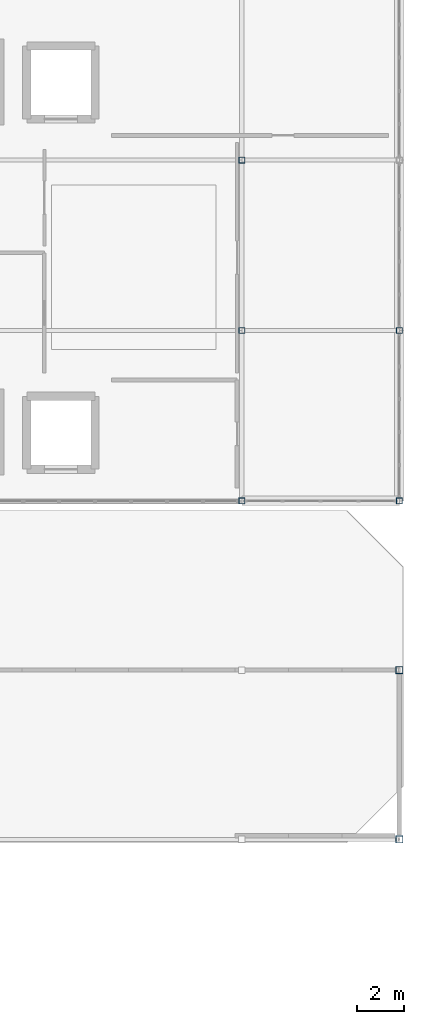
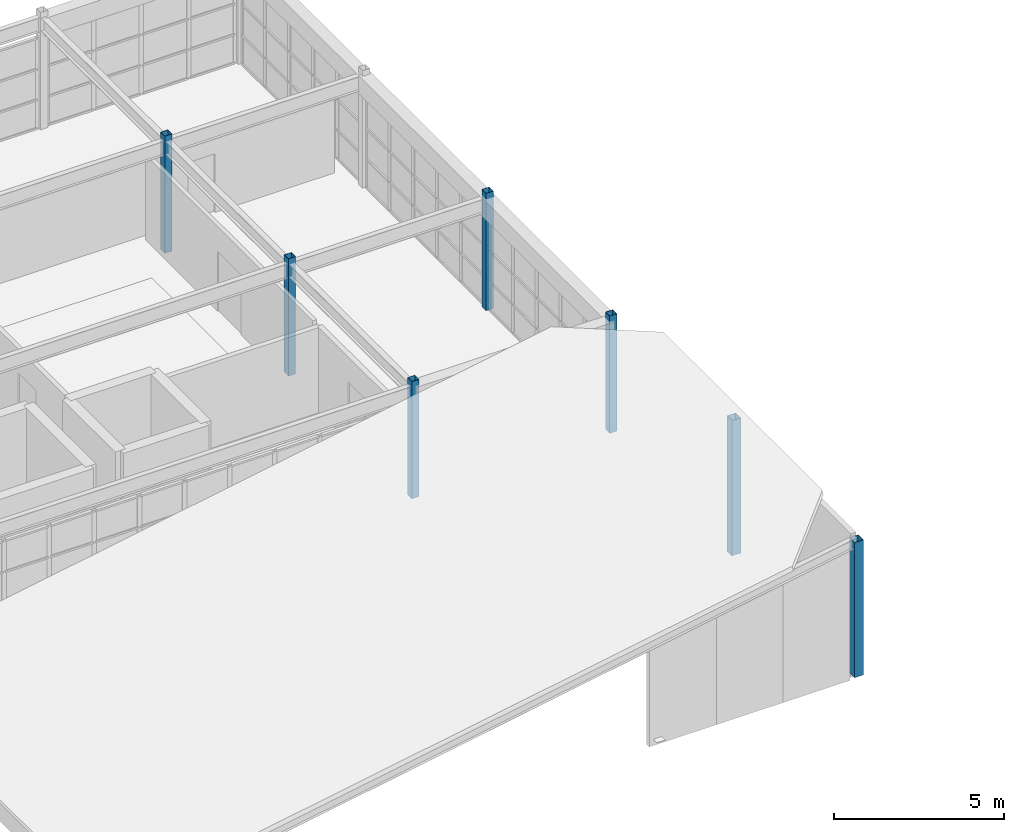
# One storey, part 3 of 19: 7 columns.
"""IFC4 building model written with IfcOpenShell, lengths in metres."""

from ifc_helpers import new_model, si_unit, direction, frame, origin, origin_2d, place, context, subcontext, project, spatial, hollow_rectangle, extrude, material, material_profile, profile_set, type_object, element, save


model = new_model("IFC4")

# Units and contexts
model_context = context("Model", 3, precision=1e-05, world=origin(), true_north=direction((0.0, 1.0)))
body_context = subcontext(model_context, "Body", "Model", "MODEL_VIEW")
ifc_project = project(units=[si_unit("LENGTHUNIT", "METRE"), si_unit("AREAUNIT", "SQUARE_METRE"), si_unit("VOLUMEUNIT", "CUBIC_METRE"), si_unit("PLANEANGLEUNIT", "RADIAN"), si_unit("MASSUNIT", "GRAM", prefix="KILO")], contexts=[model_context])

# Site, building, storey
site_placement = place(None, origin())
site = spatial("IfcSite", under=ifc_project, at=site_placement, CompositionType="ELEMENT")
building_placement = place(site_placement, origin())
building = spatial("IfcBuilding", under=site, at=building_placement, Name="Candilejo Ridge Gondola Terminal", CompositionType="ELEMENT")
storey_placement = place(building_placement, frame((0.0, 0.0, 22.800048828125)))
storey = spatial("IfcBuildingStorey", under=building, at=storey_placement, Name="L05", CompositionType="ELEMENT", Elevation=22.800048828125)

# Columns
ifc_material_1 = material(Name="Steel ASTM A500 Grade C", Category="steel")
ifc_material_profile_1 = material_profile(ifc_material_1, hollow_rectangle(XDim=0.25, YDim=0.25, WallThickness=0.010009765625, at=origin_2d()))
ifc_profile_set_1 = profile_set([ifc_material_profile_1], Name="Steel ASTM A500 Grade C")
column_type_1 = type_object("IfcColumnType", Name="STR-COL-HSS250", PredefinedType="COLUMN", material=ifc_profile_set_1)
for number, where, z_axis, x_axis, name in (
    (1, (168.60009765625, 99.050048828125, 0.0), (0.0, 0.0, 1.0), (1.0, 0.0, 0.0), "Column V5 L05 X25-Y17"),
    (2, (168.60009765625, 106.300048828125, 0.0), (0.0, 0.0, 1.0), (1.0, 0.0, 0.0), "Column V5 L05 X25-Y18"),
    (3, (168.60009765625, 113.550048828125, 0.0), (0.0, 0.0, 1.0), (1.0, 0.0, 0.0), "Column V5 L05 X25-Y19"),
    (4, (175.300048828125, 99.050048828125, 0.0), (0.0, 0.0, 1.0), (1.0, 0.0, 0.0), "Column V5 L05 X27-Y17"),
    (5, (175.300048828125, 106.300048828125, 0.0), (0.0, 0.0, 1.0), (1.0, 0.0, 0.0), "Column V5 L05 X27-Y18"),
):
    element("IfcColumn", number, at=place(storey_placement, frame(where, z_axis=z_axis, x_axis=x_axis)), inside=storey, type_object=column_type_1, Name=name, PredefinedType="COLUMN", context=body_context, shape_type="SweptSolid", body=[
        extrude(hollow_rectangle(XDim=0.25, YDim=0.25, WallThickness=0.010009765625, at=origin_2d()), origin(), (0.0, 0.0, 1.0), 4.199951171875),
    ])
ifc_material_2 = material(Name="Steel ASTM A500 Grade C", Category="steel")
ifc_material_profile_2 = material_profile(ifc_material_2, hollow_rectangle(XDim=0.300048828125, YDim=0.300048828125, WallThickness=0.0126953125, at=origin_2d()))
ifc_profile_set_2 = profile_set([ifc_material_profile_2], Name="Steel ASTM A500 Grade C")
column_type_2 = type_object("IfcColumnType", Name="STR-COL-HSS300", PredefinedType="COLUMN", material=ifc_profile_set_2)
for number, where, z_axis, x_axis, name in (
    (6, (175.300048828125, 84.64990234375, 0.0), (0.0, 0.0, 1.0), (1.0, 0.0, 0.0), "Roof ridge post RF-V5-MID2-01-E"),
    (7, (175.300048828125, 91.85009765625, 0.0), (0.0, 0.0, 1.0), (1.0, 0.0, 0.0), "Roof ridge post RF-V5-MID2-02-E"),
):
    element("IfcColumn", number, at=place(storey_placement, frame(where, z_axis=z_axis, x_axis=x_axis)), inside=storey, type_object=column_type_2, Name=name, PredefinedType="COLUMN", context=body_context, shape_type="SweptSolid", body=[
        extrude(hollow_rectangle(XDim=0.300048828125, YDim=0.300048828125, WallThickness=0.0126953125, at=origin_2d()), origin(), (0.0, 0.0, 1.0), 4.842041015625),
    ])

save(model, "model.ifc")
